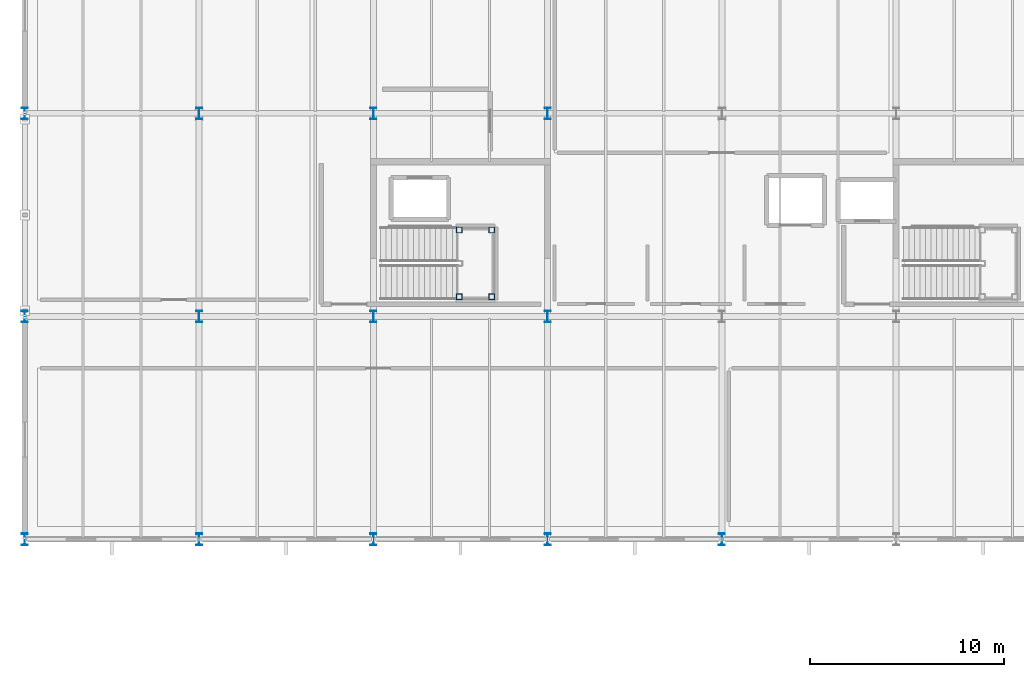
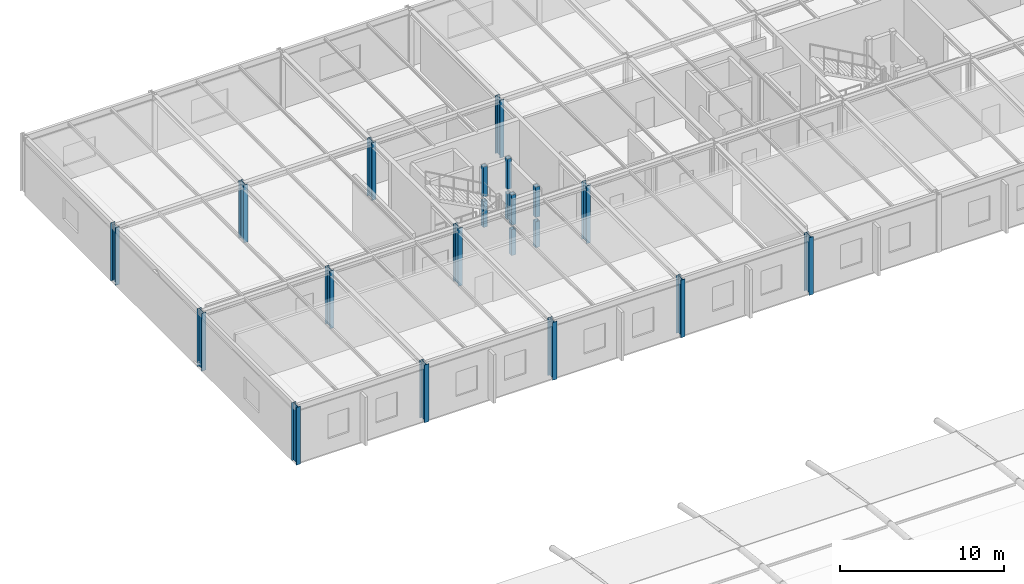
# One storey, part 3 of 105: 21 columns.
"""IFC4 building model written with IfcOpenShell, lengths in metres."""

from ifc_helpers import new_model, si_unit, direction, frame, origin, origin_2d, place, context, subcontext, project, spatial, hollow_rectangle, i_section, extrude, material, material_profile, profile_set, type_object, element, save


model = new_model("IFC4")

# Units and contexts
model_context = context("Model", 3, precision=1e-05, world=origin(), true_north=direction((0.0, 1.0)))
body_context = subcontext(model_context, "Body", "Model", "MODEL_VIEW")
ifc_project = project(units=[si_unit("LENGTHUNIT", "METRE"), si_unit("AREAUNIT", "SQUARE_METRE"), si_unit("VOLUMEUNIT", "CUBIC_METRE"), si_unit("PLANEANGLEUNIT", "RADIAN"), si_unit("MASSUNIT", "GRAM", prefix="KILO")], contexts=[model_context])

# Site, building, storey
site_placement = place(None, origin())
site = spatial("IfcSite", under=ifc_project, at=site_placement, CompositionType="ELEMENT")
building_placement = place(site_placement, origin())
building = spatial("IfcBuilding", under=site, at=building_placement, Name="Marlcrest Central Station", CompositionType="ELEMENT")
storey_placement = place(building_placement, frame((0.0, 0.0, 15.0)))
storey = spatial("IfcBuildingStorey", under=building, at=storey_placement, Name="L03", CompositionType="ELEMENT", Elevation=15.0)

# Columns
ifc_material = material(Name="Steel S355", Category="steel")
ifc_material_profile_1 = material_profile(ifc_material, i_section(OverallWidth=0.300048828125, OverallDepth=0.60009765625, WebThickness=0.015380859375, FlangeThickness=0.030029296875, FilletRadius=0.027099609375, at=origin_2d()), Name="HEB 600")
ifc_profile_set_1 = profile_set([ifc_material_profile_1], Name="Steel S355")
column_type_1 = type_object("IfcColumnType", Name="SC-05", PredefinedType="COLUMN", material=ifc_profile_set_1)
for number, where, z_axis, x_axis, name in (
    (1, (0.0, 99.0, 0.0), (0.0, 0.0, 1.0), (1.0, 0.0, 0.0), "col-SC-05-L03-0157"),
    (2, (0.0, 110.5, 0.0), (0.0, 0.0, 1.0), (1.0, 0.0, 0.0), "col-SC-05-L03-0158"),
    (3, (0.0, 121.0, 0.0), (0.0, 0.0, 1.0), (1.0, 0.0, 0.0), "col-SC-05-L03-0159"),
    (4, (9.0, 99.0, 0.0), (0.0, 0.0, 1.0), (1.0, 0.0, 0.0), "col-SC-05-L03-0161"),
    (5, (9.0, 110.5, 0.0), (0.0, 0.0, 1.0), (1.0, 0.0, 0.0), "col-SC-05-L03-0162"),
    (6, (9.0, 121.0, 0.0), (0.0, 0.0, 1.0), (1.0, 0.0, 0.0), "col-SC-05-L03-0163"),
    (7, (18.0, 99.0, 0.0), (0.0, 0.0, 1.0), (1.0, 0.0, 0.0), "col-SC-05-L03-0165"),
    (8, (18.0, 110.5, 0.0), (0.0, 0.0, 1.0), (1.0, 0.0, 0.0), "col-SC-05-L03-0166"),
    (9, (18.0, 121.0, 0.0), (0.0, 0.0, 1.0), (1.0, 0.0, 0.0), "col-SC-05-L03-0167"),
    (10, (27.0, 99.0, 0.0), (0.0, 0.0, 1.0), (1.0, 0.0, 0.0), "col-SC-05-L03-0169"),
    (11, (27.0, 110.5, 0.0), (0.0, 0.0, 1.0), (1.0, 0.0, 0.0), "col-SC-05-L03-0170"),
    (12, (27.0, 121.0, 0.0), (0.0, 0.0, 1.0), (1.0, 0.0, 0.0), "col-SC-05-L03-0171"),
    (13, (36.0, 99.0, 0.0), (0.0, 0.0, 1.0), (1.0, 0.0, 0.0), "col-SC-05-L03-0173"),
):
    element("IfcColumn", number, at=place(storey_placement, frame(where, z_axis=z_axis, x_axis=x_axis)), inside=storey, type_object=column_type_1, Name=name, PredefinedType="COLUMN", context=body_context, shape_type="SweptSolid", body=[
        extrude(i_section(OverallWidth=0.300048828125, OverallDepth=0.60009765625, WebThickness=0.015380859375, FlangeThickness=0.030029296875, FilletRadius=0.027099609375, at=origin_2d()), origin(), (0.0, 0.0, 1.0), 4.284912109375),
    ])
ifc_material_profile_2 = material_profile(ifc_material, hollow_rectangle(XDim=0.300048828125, YDim=0.300048828125, WallThickness=0.01611328125, at=origin_2d()), Name="SHS 300x300x16")
ifc_profile_set_2 = profile_set([ifc_material_profile_2], Name="Steel S355")
column_type_2 = type_object("IfcColumnType", Name="SC-19", PredefinedType="COLUMN", material=ifc_profile_set_2)
column_1_placement = place(storey_placement, frame((22.43994140625, 111.530029296875, 0.0), z_axis=(0.0, 0.0, 1.0), x_axis=(1.0, 0.0, 0.0)))
element("IfcColumn", 14, at=column_1_placement, inside=storey, type_object=column_type_2, Name="htcol-lo-0050-0", PredefinedType="COLUMN", context=body_context, shape_type="SweptSolid", body=[
    extrude(hollow_rectangle(XDim=0.300048828125, YDim=0.300048828125, WallThickness=0.01611328125, at=origin_2d()), origin(), (0.0, 0.0, 1.0), 1.929931640625),
])
column_2_placement = place(storey_placement, frame((22.43994140625, 111.530029296875, 2.25), z_axis=(0.0, 0.0, 1.0), x_axis=(1.0, 0.0, 0.0)))
element("IfcColumn", 15, at=column_2_placement, inside=storey, type_object=column_type_2, Name="htcol-hi-0050-0", PredefinedType="COLUMN", context=body_context, shape_type="SweptSolid", body=[
    extrude(hollow_rectangle(XDim=0.300048828125, YDim=0.300048828125, WallThickness=0.01611328125, at=origin_2d()), origin(), (0.0, 0.0, 1.0), 2.25),
])
column_3_placement = place(storey_placement, frame((24.1201171875, 111.530029296875, 0.0), z_axis=(0.0, 0.0, 1.0), x_axis=(1.0, 0.0, 0.0)))
element("IfcColumn", 16, at=column_3_placement, inside=storey, type_object=column_type_2, Name="htcol-lo-0050-1", PredefinedType="COLUMN", context=body_context, shape_type="SweptSolid", body=[
    extrude(hollow_rectangle(XDim=0.300048828125, YDim=0.300048828125, WallThickness=0.01611328125, at=origin_2d()), origin(), (0.0, 0.0, 1.0), 1.929931640625),
])
column_4_placement = place(storey_placement, frame((24.1201171875, 111.530029296875, 2.25), z_axis=(0.0, 0.0, 1.0), x_axis=(1.0, 0.0, 0.0)))
element("IfcColumn", 17, at=column_4_placement, inside=storey, type_object=column_type_2, Name="htcol-hi-0050-1", PredefinedType="COLUMN", context=body_context, shape_type="SweptSolid", body=[
    extrude(hollow_rectangle(XDim=0.300048828125, YDim=0.300048828125, WallThickness=0.01611328125, at=origin_2d()), origin(), (0.0, 0.0, 1.0), 2.25),
])
column_5_placement = place(storey_placement, frame((24.1201171875, 114.969970703125, 0.0), z_axis=(0.0, 0.0, 1.0), x_axis=(1.0, 0.0, 0.0)))
element("IfcColumn", 18, at=column_5_placement, inside=storey, type_object=column_type_2, Name="htcol-lo-0050-2", PredefinedType="COLUMN", context=body_context, shape_type="SweptSolid", body=[
    extrude(hollow_rectangle(XDim=0.300048828125, YDim=0.300048828125, WallThickness=0.01611328125, at=origin_2d()), origin(), (0.0, 0.0, 1.0), 1.929931640625),
])
column_6_placement = place(storey_placement, frame((24.1201171875, 114.969970703125, 2.25), z_axis=(0.0, 0.0, 1.0), x_axis=(1.0, 0.0, 0.0)))
element("IfcColumn", 19, at=column_6_placement, inside=storey, type_object=column_type_2, Name="htcol-hi-0050-2", PredefinedType="COLUMN", context=body_context, shape_type="SweptSolid", body=[
    extrude(hollow_rectangle(XDim=0.300048828125, YDim=0.300048828125, WallThickness=0.01611328125, at=origin_2d()), origin(), (0.0, 0.0, 1.0), 2.25),
])
column_7_placement = place(storey_placement, frame((22.43994140625, 114.969970703125, 0.0), z_axis=(0.0, 0.0, 1.0), x_axis=(1.0, 0.0, 0.0)))
element("IfcColumn", 20, at=column_7_placement, inside=storey, type_object=column_type_2, Name="htcol-lo-0050-3", PredefinedType="COLUMN", context=body_context, shape_type="SweptSolid", body=[
    extrude(hollow_rectangle(XDim=0.300048828125, YDim=0.300048828125, WallThickness=0.01611328125, at=origin_2d()), origin(), (0.0, 0.0, 1.0), 1.929931640625),
])
column_8_placement = place(storey_placement, frame((22.43994140625, 114.969970703125, 2.25), z_axis=(0.0, 0.0, 1.0), x_axis=(1.0, 0.0, 0.0)))
element("IfcColumn", 21, at=column_8_placement, inside=storey, type_object=column_type_2, Name="htcol-hi-0050-3", PredefinedType="COLUMN", context=body_context, shape_type="SweptSolid", body=[
    extrude(hollow_rectangle(XDim=0.300048828125, YDim=0.300048828125, WallThickness=0.01611328125, at=origin_2d()), origin(), (0.0, 0.0, 1.0), 2.25),
])

save(model, "model.ifc")
